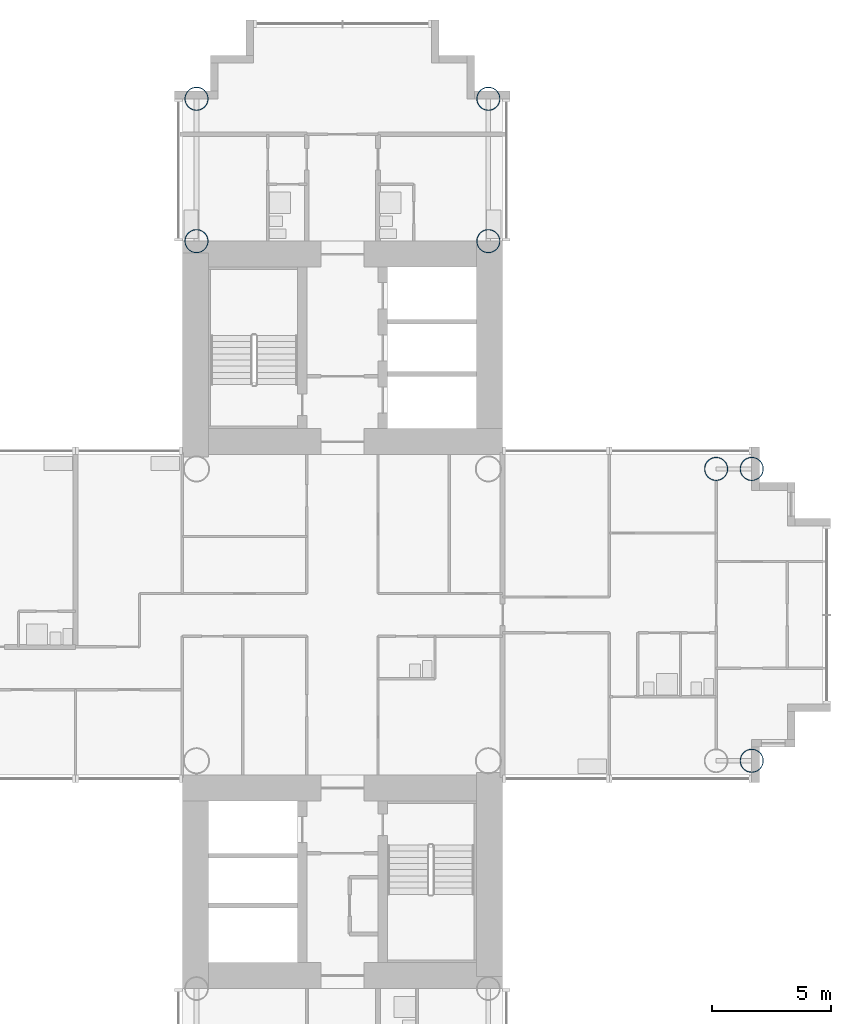
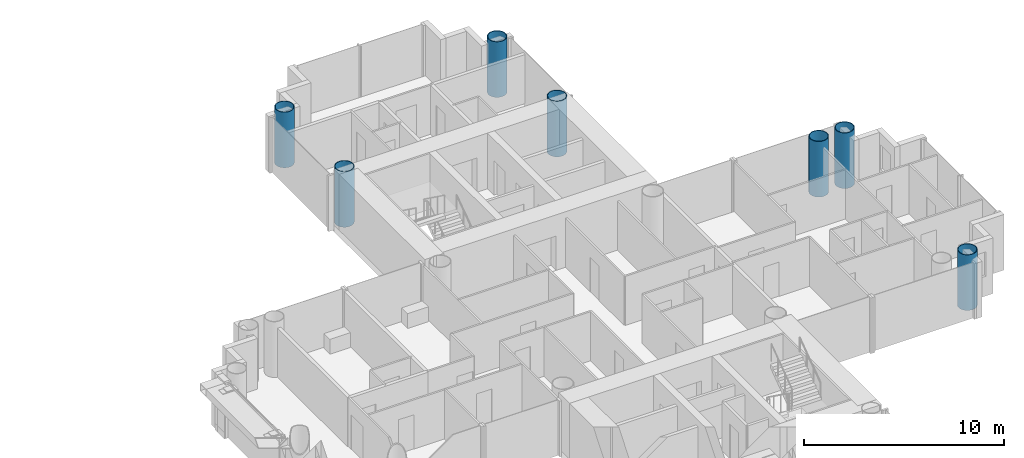
# One storey, part 2 of 22: 7 columns.
"""IFC4 building model written with IfcOpenShell, lengths in metres."""

from ifc_helpers import new_model, si_unit, direction, frame, origin, origin_2d, place, context, subcontext, project, spatial, hollow_circle, extrude, material, material_profile, profile_set, type_object, element, save


model = new_model("IFC4")

# Units and contexts
model_context = context("Model", 3, precision=1e-05, world=origin(), true_north=direction((0.0, 1.0)))
body_context = subcontext(model_context, "Body", "Model", "MODEL_VIEW")
ifc_project = project(units=[si_unit("LENGTHUNIT", "METRE"), si_unit("AREAUNIT", "SQUARE_METRE"), si_unit("VOLUMEUNIT", "CUBIC_METRE"), si_unit("PLANEANGLEUNIT", "RADIAN"), si_unit("MASSUNIT", "GRAM", prefix="KILO")], contexts=[model_context])

# Site, building, storey
site_placement = place(None, origin())
site = spatial("IfcSite", under=ifc_project, at=site_placement, CompositionType="ELEMENT")
building_placement = place(site_placement, origin())
building = spatial("IfcBuilding", under=site, at=building_placement, Name="Ipe Terrace Towers", CompositionType="ELEMENT")
storey_placement = place(building_placement, frame((0.0, 0.0, 68.699951171875)))
storey = spatial("IfcBuildingStorey", under=building, at=storey_placement, Name="L18", CompositionType="ELEMENT", Elevation=68.699951171875)

# Columns
ifc_material = material(Name="Steel S355 tube with Concrete C60/75 fill", Category="concrete")
ifc_material_profile = material_profile(ifc_material, hollow_circle(Radius=0.5, WallThickness=0.035888671875, at=origin_2d()), Name="CHS-1000x36")
ifc_profile_set = profile_set([ifc_material_profile], Name="Steel S355 tube with Concrete C60/75 fill")
column_type = type_object("IfcColumnType", Name="CH01 COLUMN CHS-1000x36", PredefinedType="COLUMN", material=ifc_profile_set)
for number, where, z_axis, x_axis, name in (
    (1, (42.14990234375, 15.75, 0.0), (0.0, 0.0, 1.0), (1.0, 0.0, 0.0), "Column T2-C-A01"),
    (2, (29.85009765625, 15.75, 0.0), (0.0, 0.0, 1.0), (1.0, 0.0, 0.0), "Column T2-C-A02"),
    (3, (42.14990234375, 21.75, 0.0), (0.0, 0.0, 1.0), (1.0, 0.0, 0.0), "Column T2-C-A03"),
    (4, (29.85009765625, 21.75, 0.0), (0.0, 0.0, 1.0), (1.0, 0.0, 0.0), "Column T2-C-A04"),
    (5, (51.75, 6.14990234375, 0.0), (0.0, 0.0, 1.0), (1.0, 0.0, 0.0), "Column T2-C-D04"),
    (6, (53.25, -6.14990234375, 0.0), (0.0, 0.0, 1.0), (1.0, 0.0, 0.0), "Column T2-C-D05"),
    (7, (53.25, 6.14990234375, 0.0), (0.0, 0.0, 1.0), (1.0, 0.0, 0.0), "Column T2-C-D06"),
):
    element("IfcColumn", number, at=place(storey_placement, frame(where, z_axis=z_axis, x_axis=x_axis)), inside=storey, type_object=column_type, Name=name, PredefinedType="COLUMN", context=body_context, shape_type="SweptSolid", body=[
        extrude(hollow_circle(Radius=0.5, WallThickness=0.035888671875, at=origin_2d()), origin(), (0.0, 0.0, 1.0), 3.400146484375),
    ])

save(model, "model.ifc")
